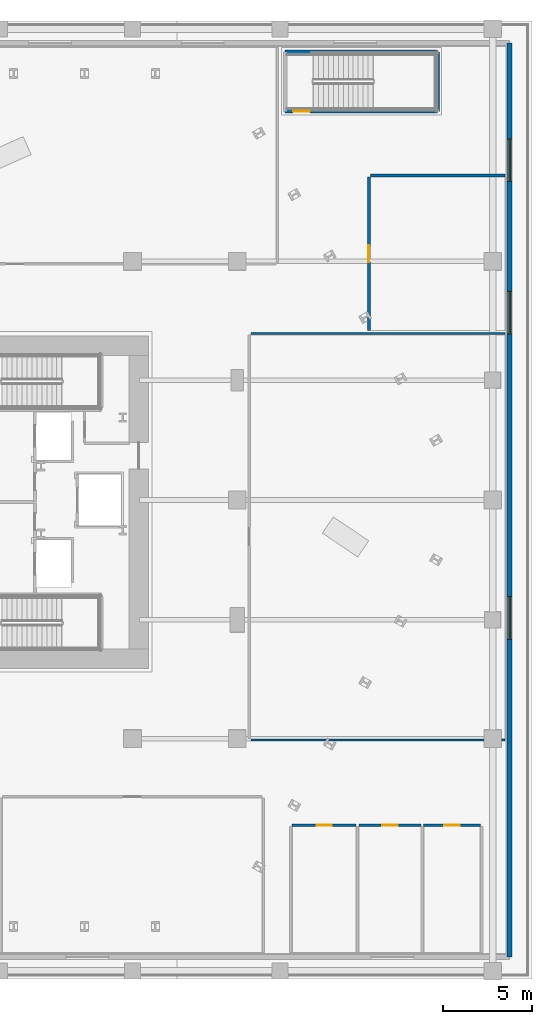
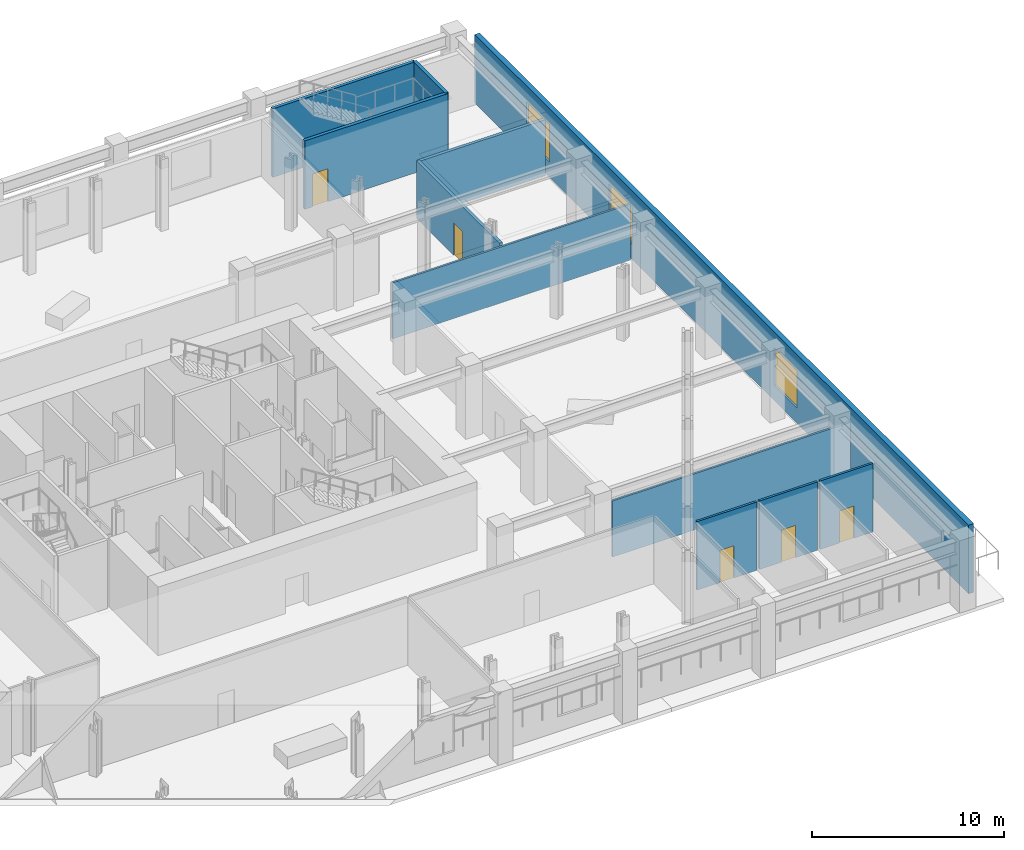
# One storey, part 7 of 18: 11 walls, 5 doors, 3 windows, 8 openings.
"""IFC4 building model written with IfcOpenShell, lengths in metres."""

from ifc_helpers import new_model, si_unit, direction, frame, frame_2d, origin, place, context, subcontext, project, spatial, rectangle, extrude, material, layer, layer_set, type_object, element, fill, save


model = new_model("IFC4")

# Units and contexts
model_context = context("Model", 3, precision=1e-05, world=origin(), true_north=direction((0.0, 1.0)))
body_context = subcontext(model_context, "Body", "Model", "MODEL_VIEW")
ifc_project = project(units=[si_unit("LENGTHUNIT", "METRE"), si_unit("AREAUNIT", "SQUARE_METRE"), si_unit("VOLUMEUNIT", "CUBIC_METRE"), si_unit("PLANEANGLEUNIT", "RADIAN"), si_unit("MASSUNIT", "GRAM", prefix="KILO")], contexts=[model_context])

# Site, building, storey
site_placement = place(None, origin())
site = spatial("IfcSite", under=ifc_project, at=site_placement, CompositionType="ELEMENT")
building_placement = place(site_placement, origin())
building = spatial("IfcBuilding", under=site, at=building_placement, Name="Valkerne Bourse Tower", CompositionType="ELEMENT")
storey_placement = place(building_placement, frame((0.0, 0.0, 10.199951171875)))
storey = spatial("IfcBuildingStorey", under=building, at=storey_placement, Name="L02", CompositionType="ELEMENT", Elevation=10.199951171875)

# Walls
ifc_material_1 = material(Name="Gypsum Board Steel-Stud Partition", Category="steel")
ifc_layer_1 = layer(ifc_material_1, 0.117919921875)
ifc_layer_set_1 = layer_set([ifc_layer_1], Name="Gypsum Board Steel-Stud Partition")
wall_type_1 = type_object("IfcWallType", Name="W-CORR-140", PredefinedType="PARTITIONING", material=ifc_layer_set_1)
for number, where, z_axis, x_axis, name in (
    (1, (62.179931640625, 36.3798828125, 0.0), (0.0, 0.0, 1.0), (1.0, 0.0, 0.0), "L02 L02 East Quantitative Analytics Office Wall"),
    (2, (62.179931640625, 13.47998046875, 0.0), (0.0, 0.0, 1.0), (1.0, 0.0, 0.0), "L02 L02 East Quantitative Analytics Office Wall"),
):
    element("IfcWall", number, at=place(storey_placement, frame(where, z_axis=z_axis, x_axis=x_axis)), inside=storey, type_object=wall_type_1, Name=name, PredefinedType="PARTITIONING", context=body_context, shape_type="SweptSolid", body=[
        extrude(rectangle(XDim=14.320068359375, YDim=0.117919921875, at=frame_2d((7.16015625, 0.0))), origin(), (0.0, 0.0, 1.0), 3.565185546875),
    ])

# Wall, openings, windows
ifc_material_2 = material(Name="Bronze Anodised Aluminium AA 6063-T6", Category="aluminium")
ifc_layer_2 = layer(ifc_material_2, 0.300048828125)
ifc_layer_set_2 = layer_set([ifc_layer_2], Name="Bronze Anodised Aluminium AA 6063-T6")
wall_type_2 = type_object("IfcWallType", Name="W-EXT-ALUM-300", PredefinedType="STANDARD", material=ifc_layer_set_2)
wall_1_placement = place(storey_placement, frame((76.75, 52.75, 0.0), z_axis=(0.0, 0.0, 1.0), x_axis=(0.0, -1.0, 0.0)))
wall_1 = element("IfcWall", 3, at=wall_1_placement, inside=storey, type_object=wall_type_2, Name="L02 Podium Exterior Wall EAST", PredefinedType="STANDARD", context=body_context, shape_type="SweptSolid", body=[
    extrude(rectangle(XDim=51.5, YDim=0.300048828125, at=frame_2d((25.75, 0.0))), origin(), (0.0, 0.0, 1.0), 4.360107421875),
])
opening_1_placement = place(wall_1_placement, frame((5.39990234375, 0.0, 0.949951171875)))
opening_1 = element("IfcOpeningElement", 4, at=opening_1_placement, cuts=wall_1, Name="Opening WN-02", PredefinedType="OPENING", context=body_context, shape_type="SweptSolid", body=[
    extrude(rectangle(XDim=2.39990234375, YDim=2.39990234375, at=frame_2d((1.199951171875, 1.199951171875))), frame((0.0, 0.159912109375, 0.0), z_axis=(0.0, -1.0, 0.0), x_axis=(1.0, 0.0, 0.0)), (0.0, 0.0, 1.0), 0.320068359375),
])
opening_2_placement = place(wall_1_placement, frame((14.0, 0.0, 0.949951171875)))
opening_2 = element("IfcOpeningElement", 5, at=opening_2_placement, cuts=wall_1, Name="Opening WN-02", PredefinedType="OPENING", context=body_context, shape_type="SweptSolid", body=[
    extrude(rectangle(XDim=2.39990234375, YDim=2.39990234375, at=frame_2d((1.199951171875, 1.199951171875))), frame((0.0, 0.159912109375, 0.0), z_axis=(0.0, -1.0, 0.0), x_axis=(1.0, 0.0, 0.0)), (0.0, 0.0, 1.0), 0.320068359375),
])
opening_3_placement = place(wall_1_placement, frame((31.199951171875, 0.0, 0.949951171875)))
opening_3 = element("IfcOpeningElement", 6, at=opening_3_placement, cuts=wall_1, Name="Opening WN-02", PredefinedType="OPENING", context=body_context, shape_type="SweptSolid", body=[
    extrude(rectangle(XDim=2.39990234375, YDim=2.39990234375, at=frame_2d((1.199951171875, 1.199951171875))), frame((0.0, 0.159912109375, 0.0), z_axis=(0.0, -1.0, 0.0), x_axis=(1.0, 0.0, 0.0)), (0.0, 0.0, 1.0), 0.320068359375),
])
ifc_material_3 = material(Name="Glass IGU Low-E Double Glazed", Category="glass")
window_type = type_object("IfcWindowType", Name="WIN-POD-2400X2400", PartitioningType="SINGLE_PANEL", PredefinedType="WINDOW", material=ifc_material_3)
window_1_placement = place(opening_1_placement, origin())
window_1 = element("IfcWindow", 7, at=window_1_placement, inside=storey, type_object=window_type, Name="L02 Podium Low-E Window 09", OverallHeight=2.39990234375, OverallWidth=2.39990234375, PartitioningType="SINGLE_PANEL", PredefinedType="WINDOW", context=body_context, shape_type="SweptSolid", body=[
    extrude(rectangle(XDim=2.39990234375, YDim=2.39990234375, at=frame_2d((1.199951171875, 1.199951171875))), frame((0.0, 0.030029296875, 0.0), z_axis=(0.0, -1.0, 0.0), x_axis=(1.0, 0.0, 0.0)), (0.0, 0.0, 1.0), 0.06005859375),
])
fill(opening_1, window_1)
window_2_placement = place(opening_2_placement, origin())
window_2 = element("IfcWindow", 8, at=window_2_placement, inside=storey, type_object=window_type, Name="L02 Podium Low-E Window 10", OverallHeight=2.39990234375, OverallWidth=2.39990234375, PartitioningType="SINGLE_PANEL", PredefinedType="WINDOW", context=body_context, shape_type="SweptSolid", body=[
    extrude(rectangle(XDim=2.39990234375, YDim=2.39990234375, at=frame_2d((1.199951171875, 1.199951171875))), frame((0.0, 0.030029296875, 0.0), z_axis=(0.0, -1.0, 0.0), x_axis=(1.0, 0.0, 0.0)), (0.0, 0.0, 1.0), 0.06005859375),
])
fill(opening_2, window_2)
window_3_placement = place(opening_3_placement, origin())
window_3 = element("IfcWindow", 9, at=window_3_placement, inside=storey, type_object=window_type, Name="L02 Podium Low-E Window 11", OverallHeight=2.39990234375, OverallWidth=2.39990234375, PartitioningType="SINGLE_PANEL", PredefinedType="WINDOW", context=body_context, shape_type="SweptSolid", body=[
    extrude(rectangle(XDim=2.39990234375, YDim=2.39990234375, at=frame_2d((1.199951171875, 1.199951171875))), frame((0.0, 0.030029296875, 0.0), z_axis=(0.0, -1.0, 0.0), x_axis=(1.0, 0.0, 0.0)), (0.0, 0.0, 1.0), 0.06005859375),
])
fill(opening_3, window_3)

# Wall
ifc_material_4 = material(Name="Gypsum Fire-Rated Shaftwall", Category="gypsum")
ifc_layer_3 = layer(ifc_material_4, 0.179931640625)
ifc_layer_set_3 = layer_set([ifc_layer_3], Name="Gypsum Fire-Rated Shaftwall")
wall_type_3 = type_object("IfcWallType", Name="W-FSAE-180", PredefinedType="PARTITIONING", material=ifc_layer_set_3)
wall_2_placement = place(storey_placement, frame((68.89990234375, 45.280029296875, 0.0), z_axis=(0.0, 0.0, 1.0), x_axis=(1.0, 0.0, 0.0)))
element("IfcWall", 10, at=wall_2_placement, inside=storey, type_object=wall_type_3, Name="L02 L02 Co-Location Server Room Wall", PredefinedType="PARTITIONING", context=body_context, shape_type="SweptSolid", body=[
    extrude(rectangle(XDim=7.60009765625, YDim=0.179931640625, at=frame_2d((3.800048828125, 0.0))), origin(), (0.0, 0.0, 1.0), 3.565185546875),
])

# Wall, opening, door
wall_3_placement = place(storey_placement, frame((68.820068359375, 36.550048828125, 0.0), z_axis=(0.0, 0.0, 1.0), x_axis=(0.0, 1.0, 0.0)))
wall_3 = element("IfcWall", 11, at=wall_3_placement, inside=storey, type_object=wall_type_3, Name="L02 L02 Co-Location Server Room Wall", PredefinedType="PARTITIONING", context=body_context, shape_type="SweptSolid", body=[
    extrude(rectangle(XDim=8.64990234375, YDim=0.179931640625, at=frame_2d((4.324951171875, 0.0))), origin(), (0.0, 0.0, 1.0), 3.65673828125),
])
opening_4_placement = place(wall_3_placement, frame((3.85009765625, 0.0, 0.0)))
opening_4 = element("IfcOpeningElement", 12, at=opening_4_placement, cuts=wall_3, Name="Opening D-SV-950", PredefinedType="OPENING", context=body_context, shape_type="SweptSolid", body=[
    extrude(rectangle(XDim=0.949951171875, YDim=2.050048828125, at=frame_2d((0.47509765625, 1.02490234375))), frame((0.0, 0.099853515625, 0.0), z_axis=(0.0, -1.0, 0.0), x_axis=(1.0, 0.0, 0.0)), (0.0, 0.0, 1.0), 0.199951171875),
])
ifc_material_5 = material(Name="Galvanised Painted Steel", Category="steel")
door_type_1 = type_object("IfcDoorType", Name="DR-SRV-950", OperationType="NOTDEFINED", PredefinedType="DOOR", material=ifc_material_5)
door_1_placement = place(opening_4_placement, origin())
door_1 = element("IfcDoor", 13, at=door_1_placement, inside=storey, type_object=door_type_1, Name="L02 L02 Server Room Door", OperationType="SINGLE_SWING_RIGHT", OverallHeight=2.050048828125, OverallWidth=0.949951171875, PredefinedType="DOOR", context=body_context, shape_type="SweptSolid", body=[
    extrude(rectangle(XDim=0.949951171875, YDim=2.050048828125, at=frame_2d((0.47509765625, 1.02490234375))), frame((0.0, 0.02490234375, 0.0), z_axis=(0.0, -1.0, 0.0), x_axis=(1.0, 0.0, 0.0)), (0.0, 0.0, 1.0), 0.050048828125),
])
fill(opening_4, door_1)

ifc_material_6 = material(Name="Concrete C40/50", Category="concrete")
ifc_layer_4 = layer(ifc_material_6, 0.199951171875)
ifc_layer_set_4 = layer_set([ifc_layer_4], Name="Concrete C40/50")
wall_type_4 = type_object("IfcWallType", Name="W-SHF-200", PredefinedType="SHEAR", material=ifc_layer_set_4)
wall_4_placement = place(storey_placement, frame((64.10009765625, 48.89990234375, 0.0), z_axis=(0.0, 0.0, 1.0), x_axis=(1.0, 0.0, 0.0)))
wall_4 = element("IfcWall", 14, at=wall_4_placement, inside=storey, type_object=wall_type_4, Name="L02 Exit Stair ST-P2 Structural South Wall", PredefinedType="SHEAR", context=body_context, shape_type="SweptSolid", body=[
    extrude(rectangle(XDim=8.599853515625, YDim=0.199951171875, at=frame_2d((4.2998046875, 0.0))), origin(), (0.0, 0.0, 1.0), 4.360107421875),
])
opening_5_placement = place(wall_4_placement, frame((0.449951171875, 0.0, 0.0)))
opening_5 = element("IfcOpeningElement", 15, at=opening_5_placement, cuts=wall_4, Name="Opening D-ST-950", PredefinedType="OPENING", context=body_context, shape_type="SweptSolid", body=[
    extrude(rectangle(XDim=0.949951171875, YDim=2.10009765625, at=frame_2d((0.47509765625, 1.050048828125))), frame((0.0, 0.10986328125, 0.0), z_axis=(0.0, -1.0, 0.0), x_axis=(1.0, 0.0, 0.0)), (0.0, 0.0, 1.0), 0.219970703125),
])
door_type_2 = type_object("IfcDoorType", Name="DR-STAIR-950", OperationType="NOTDEFINED", PredefinedType="DOOR", material=ifc_material_5)
door_2_placement = place(opening_5_placement, origin())
door_2 = element("IfcDoor", 16, at=door_2_placement, inside=storey, type_object=door_type_2, Name="L02 Exit Stair ST-P2 Door", OperationType="SINGLE_SWING_RIGHT", OverallHeight=2.10009765625, OverallWidth=0.949951171875, PredefinedType="DOOR", context=body_context, shape_type="SweptSolid", body=[
    extrude(rectangle(XDim=0.949951171875, YDim=2.10009765625, at=frame_2d((0.47509765625, 1.050048828125))), frame((0.0, 0.02490234375, 0.0), z_axis=(0.0, -1.0, 0.0), x_axis=(1.0, 0.0, 0.0)), (0.0, 0.0, 1.0), 0.050048828125),
])
fill(opening_5, door_2)

# Walls
wall_5_placement = place(storey_placement, frame((64.10009765625, 52.25, 0.0), z_axis=(0.0, 0.0, 1.0), x_axis=(1.0, 0.0, 0.0)))
element("IfcWall", 17, at=wall_5_placement, inside=storey, type_object=wall_type_4, Name="L02 Exit Stair ST-P2 Structural North Wall", PredefinedType="SHEAR", context=body_context, shape_type="SweptSolid", body=[
    extrude(rectangle(XDim=8.599853515625, YDim=0.199951171875, at=frame_2d((4.2998046875, 0.0))), origin(), (0.0, 0.0, 1.0), 4.360107421875),
])
wall_6_placement = place(storey_placement, frame((72.699951171875, 48.89990234375, 0.0), z_axis=(0.0, 0.0, 1.0), x_axis=(0.0, 1.0, 0.0)))
element("IfcWall", 18, at=wall_6_placement, inside=storey, type_object=wall_type_4, Name="L02 Exit Stair ST-P2 Structural East Wall", PredefinedType="SHEAR", context=body_context, shape_type="SweptSolid", body=[
    extrude(rectangle(XDim=3.35009765625, YDim=0.199951171875, at=frame_2d((1.675048828125, 0.0))), origin(), (0.0, 0.0, 1.0), 4.360107421875),
])

# Wall, opening, door
ifc_material_7 = material(Name="Moisture-Resistant Gypsum Partition", Category="gypsum")
ifc_layer_5 = layer(ifc_material_7, 0.139892578125)
ifc_layer_set_5 = layer_set([ifc_layer_5], Name="Moisture-Resistant Gypsum Partition")
wall_type_5 = type_object("IfcWallType", Name="W-WET-140", PredefinedType="PARTITIONING", material=ifc_layer_set_5)
wall_7_placement = place(storey_placement, frame((64.5, 8.679931640625, 0.0), z_axis=(0.0, 0.0, 1.0), x_axis=(1.0, 0.0, 0.0)))
wall_7 = element("IfcWall", 19, at=wall_7_placement, inside=storey, type_object=wall_type_5, Name="L02 L02 Men Bathroom WC Wall", PredefinedType="PARTITIONING", context=body_context, shape_type="SweptSolid", body=[
    extrude(rectangle(XDim=3.60009765625, YDim=0.139892578125, at=frame_2d((1.800048828125, 0.0))), origin(), (0.0, 0.0, 1.0), 4.360107421875),
])
opening_6_placement = place(wall_7_placement, frame((1.3701171875, 0.0, 0.0)))
opening_6 = element("IfcOpeningElement", 20, at=opening_6_placement, cuts=wall_7, Name="Opening D-WC-900", PredefinedType="OPENING", context=body_context, shape_type="SweptSolid", body=[
    extrude(rectangle(XDim=0.860107421875, YDim=2.050048828125, at=frame_2d((0.43017578125, 1.02490234375))), frame((0.0, 0.079833984375, 0.0), z_axis=(0.0, -1.0, 0.0), x_axis=(1.0, 0.0, 0.0)), (0.0, 0.0, 1.0), 0.159912109375),
])
ifc_material_8 = material(Name="Architectural White Oak Timber", Category="wood")
door_type_3 = type_object("IfcDoorType", Name="DR-WC-900", OperationType="NOTDEFINED", PredefinedType="DOOR", material=ifc_material_8)
door_3_placement = place(opening_6_placement, origin())
door_3 = element("IfcDoor", 21, at=door_3_placement, inside=storey, type_object=door_type_3, Name="L02 L02 Men WC Door", OperationType="SINGLE_SWING_LEFT", OverallHeight=2.050048828125, OverallWidth=0.860107421875, PredefinedType="DOOR", context=body_context, shape_type="SweptSolid", body=[
    extrude(rectangle(XDim=0.860107421875, YDim=2.050048828125, at=frame_2d((0.43017578125, 1.02490234375))), frame((0.0, 0.02490234375, 0.0), z_axis=(0.0, -1.0, 0.0), x_axis=(1.0, 0.0, 0.0)), (0.0, 0.0, 1.0), 0.050048828125),
])
fill(opening_6, door_3)

wall_8_placement = place(storey_placement, frame((68.260009765625, 8.679931640625, 0.0), z_axis=(0.0, 0.0, 1.0), x_axis=(1.0, 0.0, 0.0)))
wall_8 = element("IfcWall", 22, at=wall_8_placement, inside=storey, type_object=wall_type_5, Name="L02 L02 Women Bathroom WC Wall", PredefinedType="PARTITIONING", context=body_context, shape_type="SweptSolid", body=[
    extrude(rectangle(XDim=3.489990234375, YDim=0.139892578125, at=frame_2d((1.7451171875, 0.0))), origin(), (0.0, 0.0, 1.0), 4.360107421875),
])
opening_7_placement = place(wall_8_placement, frame((1.31494140625, 0.0, 0.0)))
opening_7 = element("IfcOpeningElement", 23, at=opening_7_placement, cuts=wall_8, Name="Opening D-WC-900", PredefinedType="OPENING", context=body_context, shape_type="SweptSolid", body=[
    extrude(rectangle(XDim=0.860107421875, YDim=2.050048828125, at=frame_2d((0.43017578125, 1.02490234375))), frame((0.0, 0.079833984375, 0.0), z_axis=(0.0, -1.0, 0.0), x_axis=(1.0, 0.0, 0.0)), (0.0, 0.0, 1.0), 0.159912109375),
])
door_4_placement = place(opening_7_placement, origin())
door_4 = element("IfcDoor", 24, at=door_4_placement, inside=storey, type_object=door_type_3, Name="L02 L02 Women WC Door", OperationType="SINGLE_SWING_LEFT", OverallHeight=2.050048828125, OverallWidth=0.860107421875, PredefinedType="DOOR", context=body_context, shape_type="SweptSolid", body=[
    extrude(rectangle(XDim=0.860107421875, YDim=2.050048828125, at=frame_2d((0.43017578125, 1.02490234375))), frame((0.0, 0.02490234375, 0.0), z_axis=(0.0, -1.0, 0.0), x_axis=(1.0, 0.0, 0.0)), (0.0, 0.0, 1.0), 0.050048828125),
])
fill(opening_7, door_4)

wall_9_placement = place(storey_placement, frame((71.909912109375, 8.679931640625, 0.0), z_axis=(0.0, 0.0, 1.0), x_axis=(1.0, 0.0, 0.0)))
wall_9 = element("IfcWall", 25, at=wall_9_placement, inside=storey, type_object=wall_type_5, Name="L02 L02 Accessible Bathroom WC Wall", PredefinedType="PARTITIONING", context=body_context, shape_type="SweptSolid", body=[
    extrude(rectangle(XDim=3.190185546875, YDim=0.139892578125, at=frame_2d((1.59521484375, 0.0))), origin(), (0.0, 0.0, 1.0), 4.360107421875),
])
opening_8_placement = place(wall_9_placement, frame((1.1650390625, 0.0, 0.0)))
opening_8 = element("IfcOpeningElement", 26, at=opening_8_placement, cuts=wall_9, Name="Opening D-WC-900", PredefinedType="OPENING", context=body_context, shape_type="SweptSolid", body=[
    extrude(rectangle(XDim=0.860107421875, YDim=2.050048828125, at=frame_2d((0.43017578125, 1.02490234375))), frame((0.0, 0.079833984375, 0.0), z_axis=(0.0, -1.0, 0.0), x_axis=(1.0, 0.0, 0.0)), (0.0, 0.0, 1.0), 0.159912109375),
])
door_5_placement = place(opening_8_placement, origin())
door_5 = element("IfcDoor", 27, at=door_5_placement, inside=storey, type_object=door_type_3, Name="L02 L02 Accessible WC Door", OperationType="SINGLE_SWING_LEFT", OverallHeight=2.050048828125, OverallWidth=0.860107421875, PredefinedType="DOOR", context=body_context, shape_type="SweptSolid", body=[
    extrude(rectangle(XDim=0.860107421875, YDim=2.050048828125, at=frame_2d((0.43017578125, 1.02490234375))), frame((0.0, 0.02490234375, 0.0), z_axis=(0.0, -1.0, 0.0), x_axis=(1.0, 0.0, 0.0)), (0.0, 0.0, 1.0), 0.050048828125),
])
fill(opening_8, door_5)

save(model, "model.ifc")
